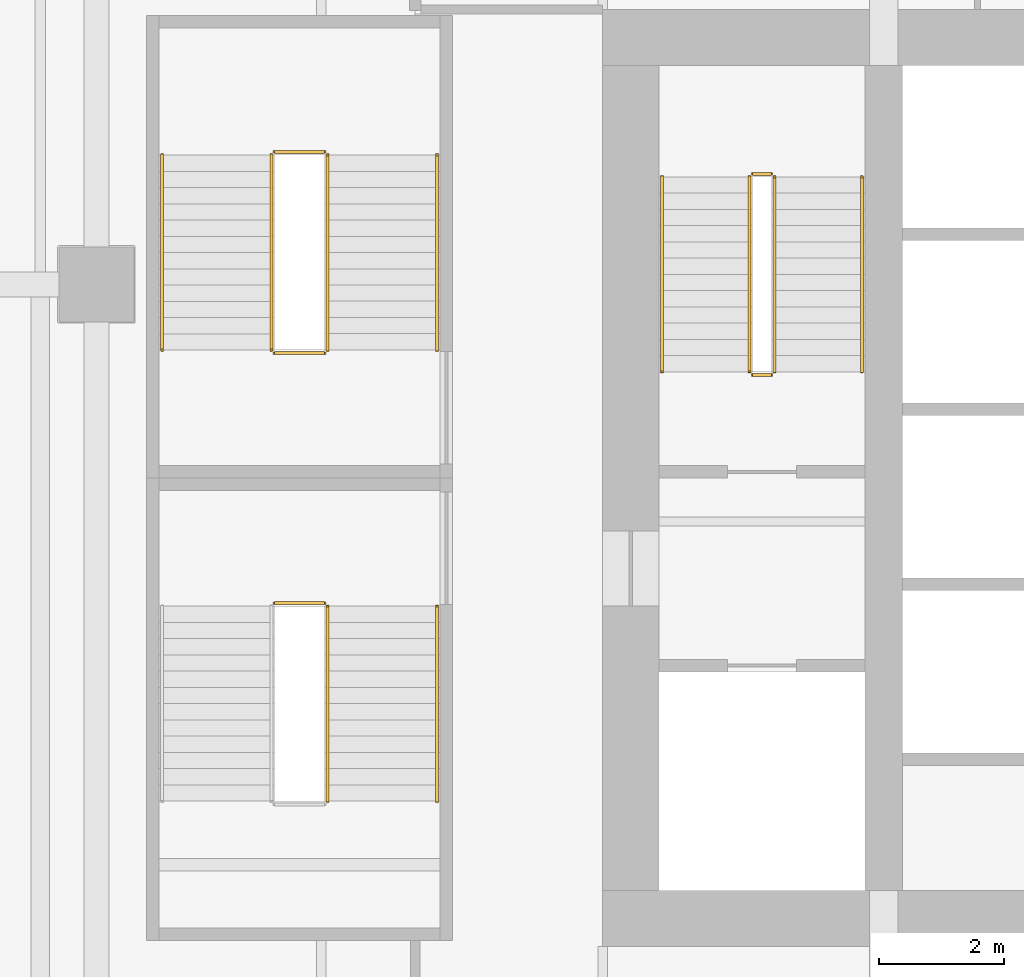
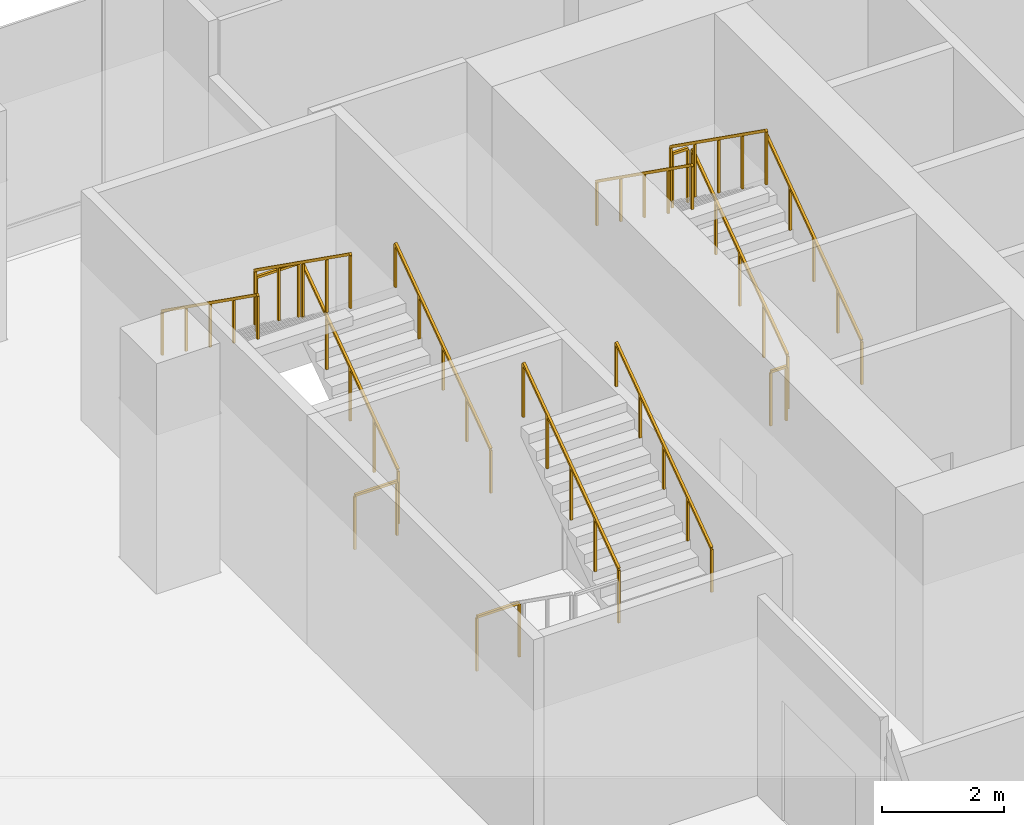
# One storey, part 24 of 28: 15 railings.
"""IFC4 building model written with IfcOpenShell, lengths in metres."""

from ifc_helpers import new_model, si_unit, direction, frame, origin, origin_2d, place, context, subcontext, project, spatial, rectangle, extrude, material, type_object, element, save


model = new_model("IFC4")

# Units and contexts
model_context = context("Model", 3, precision=1e-05, world=origin(), true_north=direction((0.0, 1.0)))
body_context = subcontext(model_context, "Body", "Model", "MODEL_VIEW")
ifc_project = project(units=[si_unit("LENGTHUNIT", "METRE"), si_unit("AREAUNIT", "SQUARE_METRE"), si_unit("VOLUMEUNIT", "CUBIC_METRE"), si_unit("PLANEANGLEUNIT", "RADIAN"), si_unit("MASSUNIT", "GRAM", prefix="KILO")], contexts=[model_context])

# Site, building, storey
site_placement = place(None, origin())
site = spatial("IfcSite", under=ifc_project, at=site_placement, CompositionType="ELEMENT")
building_placement = place(site_placement, origin())
building = spatial("IfcBuilding", under=site, at=building_placement, Name="Rattan Terrace Tower", CompositionType="ELEMENT")
storey_placement = place(building_placement, frame((0.0, 0.0, 22.199951171875)))
storey = spatial("IfcBuildingStorey", under=building, at=storey_placement, Name="L04", CompositionType="ELEMENT", Elevation=22.199951171875)

# Railings
ifc_material_1 = material(Name="Powder-coated steel guard", Category="steel")
railing_type_1 = type_object("IfcRailingType", Name="Core stair guard", PredefinedType="GUARDRAIL", material=ifc_material_1)
railing_1_placement = place(storey_placement, frame((-15.25, 1.699951171875, 0.1845703125)))
element("IfcRailing", 1, at=railing_1_placement, inside=storey, type_object=railing_type_1, Name="L04 S1 stair guard 1", PredefinedType="GUARDRAIL", context=body_context, shape_type="SweptSolid", body=[
    extrude(rectangle(XDim=0.048095703125, YDim=0.048095703125, at=origin_2d()), frame((0.0, 0.0, 1.076171875), z_axis=(0.0, 0.815346844174, 0.578972817752), x_axis=(-1.0, 0.0, 0.0)), (0.0, 0.0, 1.0), 3.82666015625),
    extrude(rectangle(XDim=0.0419921875, YDim=0.0419921875, at=origin_2d()), origin(), (0.0, 0.0, 1.0), 1.052001953125),
    extrude(rectangle(XDim=0.0419921875, YDim=0.0419921875, at=origin_2d()), frame((0.0, 0.780029296875, 0.553955078125)), (0.0, 0.0, 1.0), 1.052001953125),
    extrude(rectangle(XDim=0.0419921875, YDim=0.0419921875, at=origin_2d()), frame((0.0, 1.56005859375, 1.10791015625)), (0.0, 0.0, 1.0), 1.052001953125),
    extrude(rectangle(XDim=0.0419921875, YDim=0.0419921875, at=origin_2d()), frame((0.0, 2.340087890625, 1.66162109375)), (0.0, 0.0, 1.0), 1.052001953125),
    extrude(rectangle(XDim=0.0419921875, YDim=0.0419921875, at=origin_2d()), frame((0.0, 3.1201171875, 2.215576171875)), (0.0, 0.0, 1.0), 1.052001953125),
])
railing_2_placement = place(storey_placement, frame((-15.300048828125, 4.8701171875, 2.400146484375)))
element("IfcRailing", 2, at=railing_2_placement, inside=storey, type_object=railing_type_1, Name="L04 S1 stair guard 2", PredefinedType="GUARDRAIL", context=body_context, shape_type="SweptSolid", body=[
    extrude(rectangle(XDim=0.048095703125, YDim=0.048095703125, at=origin_2d()), frame((0.0, 0.0, 1.076171875), z_axis=(-1.0, 0.0, 0.0), x_axis=(0.0, -1.0, 0.0)), (0.0, 0.0, 1.0), 0.300048828125),
    extrude(rectangle(XDim=0.0419921875, YDim=0.0419921875, at=origin_2d()), origin(), (0.0, 0.0, 1.0), 1.052001953125),
    extrude(rectangle(XDim=0.0419921875, YDim=0.0419921875, at=origin_2d()), frame((-0.300048828125, 0.0, 0.0)), (0.0, 0.0, 1.0), 1.052001953125),
])
railing_3_placement = place(storey_placement, frame((-15.64990234375, 4.820068359375, 2.584716796875)))
element("IfcRailing", 3, at=railing_3_placement, inside=storey, type_object=railing_type_1, Name="L04 S1 stair guard 3", PredefinedType="GUARDRAIL", context=body_context, shape_type="SweptSolid", body=[
    extrude(rectangle(XDim=0.048095703125, YDim=0.048095703125, at=origin_2d()), frame((0.0, 0.0, 1.076171875), z_axis=(0.0, -0.815376961211, 0.578930402662), x_axis=(1.0, 0.0, 0.0)), (0.0, 0.0, 1.0), 3.82666015625),
    extrude(rectangle(XDim=0.0419921875, YDim=0.0419921875, at=origin_2d()), origin(), (0.0, 0.0, 1.0), 1.052001953125),
    extrude(rectangle(XDim=0.0419921875, YDim=0.0419921875, at=origin_2d()), frame((0.0, -0.780029296875, 0.5537109375)), (0.0, 0.0, 1.0), 1.052001953125),
    extrude(rectangle(XDim=0.0419921875, YDim=0.0419921875, at=origin_2d()), frame((0.0, -1.56005859375, 1.107666015625)), (0.0, 0.0, 1.0), 1.052001953125),
    extrude(rectangle(XDim=0.0419921875, YDim=0.0419921875, at=origin_2d()), frame((0.0, -2.340087890625, 1.66162109375)), (0.0, 0.0, 1.0), 1.052001953125),
    extrude(rectangle(XDim=0.0419921875, YDim=0.0419921875, at=origin_2d()), frame((0.0, -3.1201171875, 2.21533203125)), (0.0, 0.0, 1.0), 1.052001953125),
])
railing_4_placement = place(storey_placement, frame((-15.300048828125, 1.64990234375, 0.0)))
element("IfcRailing", 4, at=railing_4_placement, inside=storey, type_object=railing_type_1, Name="L04 S1 stair guard 4", PredefinedType="GUARDRAIL", context=body_context, shape_type="SweptSolid", body=[
    extrude(rectangle(XDim=0.048095703125, YDim=0.048095703125, at=origin_2d()), frame((0.0, 0.0, 1.076171875), z_axis=(-1.0, 0.0, 0.0), x_axis=(0.0, -1.0, 0.0)), (0.0, 0.0, 1.0), 0.300048828125),
    extrude(rectangle(XDim=0.0419921875, YDim=0.0419921875, at=origin_2d()), origin(), (0.0, 0.0, 1.0), 1.052001953125),
    extrude(rectangle(XDim=0.0419921875, YDim=0.0419921875, at=origin_2d()), frame((-0.300048828125, 0.0, 0.0)), (0.0, 0.0, 1.0), 1.052001953125),
])
railing_5_placement = place(storey_placement, frame((-22.39990234375, -5.169921875, 2.584716796875)))
element("IfcRailing", 5, at=railing_5_placement, inside=storey, type_object=railing_type_1, Name="L04 S4 stair guard 3", PredefinedType="GUARDRAIL", context=body_context, shape_type="SweptSolid", body=[
    extrude(rectangle(XDim=0.048095703125, YDim=0.048095703125, at=origin_2d()), frame((0.0, 0.0, 1.076171875), z_axis=(0.0, 0.815355575968, 0.57896052088), x_axis=(-1.0, 0.0, 0.0)), (0.0, 0.0, 1.0), 3.826416015625),
    extrude(rectangle(XDim=0.0419921875, YDim=0.0419921875, at=origin_2d()), origin(), (0.0, 0.0, 1.0), 1.052001953125),
    extrude(rectangle(XDim=0.0419921875, YDim=0.0419921875, at=origin_2d()), frame((0.0, 0.780029296875, 0.5537109375)), (0.0, 0.0, 1.0), 1.052001953125),
    extrude(rectangle(XDim=0.0419921875, YDim=0.0419921875, at=origin_2d()), frame((0.0, 1.56005859375, 1.107666015625)), (0.0, 0.0, 1.0), 1.052001953125),
    extrude(rectangle(XDim=0.0419921875, YDim=0.0419921875, at=origin_2d()), frame((0.0, 2.33984375, 1.66162109375)), (0.0, 0.0, 1.0), 1.052001953125),
    extrude(rectangle(XDim=0.0419921875, YDim=0.0419921875, at=origin_2d()), frame((0.0, 3.119873046875, 2.21533203125)), (0.0, 0.0, 1.0), 1.052001953125),
])
railing_6_placement = place(storey_placement, frame((-23.25, -2.0, 0.0)))
element("IfcRailing", 6, at=railing_6_placement, inside=storey, type_object=railing_type_1, Name="L04 S4 stair guard 4", PredefinedType="GUARDRAIL", context=body_context, shape_type="SweptSolid", body=[
    extrude(rectangle(XDim=0.048095703125, YDim=0.048095703125, at=origin_2d()), frame((0.0, 0.0, 1.076171875), z_axis=(1.0, 0.0, 0.0), x_axis=(0.0, 1.0, 0.0)), (0.0, 0.0, 1.0), 0.800048828125),
    extrude(rectangle(XDim=0.0419921875, YDim=0.0419921875, at=origin_2d()), origin(), (0.0, 0.0, 1.0), 1.052001953125),
    extrude(rectangle(XDim=0.0419921875, YDim=0.0419921875, at=origin_2d()), frame((0.800048828125, 0.0, 0.0)), (0.0, 0.0, 1.0), 1.052001953125),
])
railing_7_placement = place(storey_placement, frame((-22.39990234375, 2.050048828125, 0.1845703125)))
element("IfcRailing", 7, at=railing_7_placement, inside=storey, type_object=railing_type_1, Name="L04 S5 stair guard 1", PredefinedType="GUARDRAIL", context=body_context, shape_type="SweptSolid", body=[
    extrude(rectangle(XDim=0.048095703125, YDim=0.048095703125, at=origin_2d()), frame((0.0, 0.0, 1.076171875), z_axis=(0.0, 0.815325456587, 0.579002935952), x_axis=(-1.0, 0.0, 0.0)), (0.0, 0.0, 1.0), 3.826416015625),
    extrude(rectangle(XDim=0.0419921875, YDim=0.0419921875, at=origin_2d()), origin(), (0.0, 0.0, 1.0), 1.052001953125),
    extrude(rectangle(XDim=0.0419921875, YDim=0.0419921875, at=origin_2d()), frame((0.0, 0.780029296875, 0.553955078125)), (0.0, 0.0, 1.0), 1.052001953125),
    extrude(rectangle(XDim=0.0419921875, YDim=0.0419921875, at=origin_2d()), frame((0.0, 1.56005859375, 1.10791015625)), (0.0, 0.0, 1.0), 1.052001953125),
    extrude(rectangle(XDim=0.0419921875, YDim=0.0419921875, at=origin_2d()), frame((0.0, 2.33984375, 1.66162109375)), (0.0, 0.0, 1.0), 1.052001953125),
    extrude(rectangle(XDim=0.0419921875, YDim=0.0419921875, at=origin_2d()), frame((0.0, 3.119873046875, 2.215576171875)), (0.0, 0.0, 1.0), 1.052001953125),
])
railing_8_placement = place(storey_placement, frame((-22.449951171875, 5.219970703125, 2.400146484375)))
element("IfcRailing", 8, at=railing_8_placement, inside=storey, type_object=railing_type_1, Name="L04 S5 stair guard 2", PredefinedType="GUARDRAIL", context=body_context, shape_type="SweptSolid", body=[
    extrude(rectangle(XDim=0.048095703125, YDim=0.048095703125, at=origin_2d()), frame((0.0, 0.0, 1.076171875), z_axis=(-1.0, 0.0, 0.0), x_axis=(0.0, -1.0, 0.0)), (0.0, 0.0, 1.0), 0.800048828125),
    extrude(rectangle(XDim=0.0419921875, YDim=0.0419921875, at=origin_2d()), origin(), (0.0, 0.0, 1.0), 1.052001953125),
    extrude(rectangle(XDim=0.0419921875, YDim=0.0419921875, at=origin_2d()), frame((-0.800048828125, 0.0, 0.0)), (0.0, 0.0, 1.0), 1.052001953125),
])
railing_9_placement = place(storey_placement, frame((-23.300048828125, 5.169921875, 2.584716796875)))
element("IfcRailing", 9, at=railing_9_placement, inside=storey, type_object=railing_type_1, Name="L04 S5 stair guard 3", PredefinedType="GUARDRAIL", context=body_context, shape_type="SweptSolid", body=[
    extrude(rectangle(XDim=0.048095703125, YDim=0.048095703125, at=origin_2d()), frame((0.0, 0.0, 1.076171875), z_axis=(0.0, -0.815355575968, 0.57896052088), x_axis=(1.0, 0.0, 0.0)), (0.0, 0.0, 1.0), 3.826416015625),
    extrude(rectangle(XDim=0.0419921875, YDim=0.0419921875, at=origin_2d()), origin(), (0.0, 0.0, 1.0), 1.052001953125),
    extrude(rectangle(XDim=0.0419921875, YDim=0.0419921875, at=origin_2d()), frame((0.0, -0.780029296875, 0.5537109375)), (0.0, 0.0, 1.0), 1.052001953125),
    extrude(rectangle(XDim=0.0419921875, YDim=0.0419921875, at=origin_2d()), frame((0.0, -1.56005859375, 1.107666015625)), (0.0, 0.0, 1.0), 1.052001953125),
    extrude(rectangle(XDim=0.0419921875, YDim=0.0419921875, at=origin_2d()), frame((0.0, -2.33984375, 1.66162109375)), (0.0, 0.0, 1.0), 1.052001953125),
    extrude(rectangle(XDim=0.0419921875, YDim=0.0419921875, at=origin_2d()), frame((0.0, -3.119873046875, 2.21533203125)), (0.0, 0.0, 1.0), 1.052001953125),
])
railing_10_placement = place(storey_placement, frame((-22.449951171875, 2.0, 0.0)))
element("IfcRailing", 10, at=railing_10_placement, inside=storey, type_object=railing_type_1, Name="L04 S5 stair guard 4", PredefinedType="GUARDRAIL", context=body_context, shape_type="SweptSolid", body=[
    extrude(rectangle(XDim=0.048095703125, YDim=0.048095703125, at=origin_2d()), frame((0.0, 0.0, 1.076171875), z_axis=(-1.0, 0.0, 0.0), x_axis=(0.0, -1.0, 0.0)), (0.0, 0.0, 1.0), 0.800048828125),
    extrude(rectangle(XDim=0.0419921875, YDim=0.0419921875, at=origin_2d()), origin(), (0.0, 0.0, 1.0), 1.052001953125),
    extrude(rectangle(XDim=0.0419921875, YDim=0.0419921875, at=origin_2d()), frame((-0.800048828125, 0.0, 0.0)), (0.0, 0.0, 1.0), 1.052001953125),
])
ifc_material_2 = material(Name="Powder-coated steel handrail", Category="steel")
railing_type_2 = type_object("IfcRailingType", Name="Core stair handrail", PredefinedType="HANDRAIL", material=ifc_material_2)
railing_11_placement = place(storey_placement, frame((-13.85009765625, 1.699951171875, 0.1845703125)))
element("IfcRailing", 11, at=railing_11_placement, inside=storey, type_object=railing_type_2, Name="L04 S1 stair handrail 1", PredefinedType="HANDRAIL", context=body_context, shape_type="SweptSolid", body=[
    extrude(rectangle(XDim=0.048095703125, YDim=0.048095703125, at=origin_2d()), frame((0.0, 0.0, 0.8759765625), z_axis=(0.0, 0.815346844174, 0.578972817752), x_axis=(-1.0, 0.0, 0.0)), (0.0, 0.0, 1.0), 3.82666015625),
    extrude(rectangle(XDim=0.0419921875, YDim=0.0419921875, at=origin_2d()), origin(), (0.0, 0.0, 1.0), 0.851806640625),
    extrude(rectangle(XDim=0.0419921875, YDim=0.0419921875, at=origin_2d()), frame((0.0, 0.780029296875, 0.553955078125)), (0.0, 0.0, 1.0), 0.851806640625),
    extrude(rectangle(XDim=0.0419921875, YDim=0.0419921875, at=origin_2d()), frame((0.0, 1.56005859375, 1.10791015625)), (0.0, 0.0, 1.0), 0.851806640625),
    extrude(rectangle(XDim=0.0419921875, YDim=0.0419921875, at=origin_2d()), frame((0.0, 2.340087890625, 1.66162109375)), (0.0, 0.0, 1.0), 0.851806640625),
    extrude(rectangle(XDim=0.0419921875, YDim=0.0419921875, at=origin_2d()), frame((0.0, 3.1201171875, 2.215576171875)), (0.0, 0.0, 1.0), 0.851806640625),
])
railing_12_placement = place(storey_placement, frame((-17.050048828125, 4.820068359375, 2.584716796875)))
element("IfcRailing", 12, at=railing_12_placement, inside=storey, type_object=railing_type_2, Name="L04 S1 stair handrail 2", PredefinedType="HANDRAIL", context=body_context, shape_type="SweptSolid", body=[
    extrude(rectangle(XDim=0.048095703125, YDim=0.048095703125, at=origin_2d()), frame((0.0, 0.0, 0.8759765625), z_axis=(0.0, -0.815376961211, 0.578930402662), x_axis=(1.0, 0.0, 0.0)), (0.0, 0.0, 1.0), 3.82666015625),
    extrude(rectangle(XDim=0.0419921875, YDim=0.0419921875, at=origin_2d()), origin(), (0.0, 0.0, 1.0), 0.851806640625),
    extrude(rectangle(XDim=0.0419921875, YDim=0.0419921875, at=origin_2d()), frame((0.0, -0.780029296875, 0.5537109375)), (0.0, 0.0, 1.0), 0.851806640625),
    extrude(rectangle(XDim=0.0419921875, YDim=0.0419921875, at=origin_2d()), frame((0.0, -1.56005859375, 1.107666015625)), (0.0, 0.0, 1.0), 0.851806640625),
    extrude(rectangle(XDim=0.0419921875, YDim=0.0419921875, at=origin_2d()), frame((0.0, -2.340087890625, 1.66162109375)), (0.0, 0.0, 1.0), 0.851806640625),
    extrude(rectangle(XDim=0.0419921875, YDim=0.0419921875, at=origin_2d()), frame((0.0, -3.1201171875, 2.21533203125)), (0.0, 0.0, 1.0), 0.851806640625),
])
railing_13_placement = place(storey_placement, frame((-20.64990234375, -5.169921875, 2.584716796875)))
element("IfcRailing", 13, at=railing_13_placement, inside=storey, type_object=railing_type_2, Name="L04 S4 stair handrail 2", PredefinedType="HANDRAIL", context=body_context, shape_type="SweptSolid", body=[
    extrude(rectangle(XDim=0.048095703125, YDim=0.048095703125, at=origin_2d()), frame((0.0, 0.0, 0.8759765625), z_axis=(0.0, 0.815355575968, 0.57896052088), x_axis=(-1.0, 0.0, 0.0)), (0.0, 0.0, 1.0), 3.826416015625),
    extrude(rectangle(XDim=0.0419921875, YDim=0.0419921875, at=origin_2d()), origin(), (0.0, 0.0, 1.0), 0.851806640625),
    extrude(rectangle(XDim=0.0419921875, YDim=0.0419921875, at=origin_2d()), frame((0.0, 0.780029296875, 0.5537109375)), (0.0, 0.0, 1.0), 0.851806640625),
    extrude(rectangle(XDim=0.0419921875, YDim=0.0419921875, at=origin_2d()), frame((0.0, 1.56005859375, 1.107666015625)), (0.0, 0.0, 1.0), 0.851806640625),
    extrude(rectangle(XDim=0.0419921875, YDim=0.0419921875, at=origin_2d()), frame((0.0, 2.33984375, 1.66162109375)), (0.0, 0.0, 1.0), 0.851806640625),
    extrude(rectangle(XDim=0.0419921875, YDim=0.0419921875, at=origin_2d()), frame((0.0, 3.119873046875, 2.21533203125)), (0.0, 0.0, 1.0), 0.851806640625),
])
railing_14_placement = place(storey_placement, frame((-20.64990234375, 2.050048828125, 0.1845703125)))
element("IfcRailing", 14, at=railing_14_placement, inside=storey, type_object=railing_type_2, Name="L04 S5 stair handrail 1", PredefinedType="HANDRAIL", context=body_context, shape_type="SweptSolid", body=[
    extrude(rectangle(XDim=0.048095703125, YDim=0.048095703125, at=origin_2d()), frame((0.0, 0.0, 0.8759765625), z_axis=(0.0, 0.815325456587, 0.579002935952), x_axis=(-1.0, 0.0, 0.0)), (0.0, 0.0, 1.0), 3.826416015625),
    extrude(rectangle(XDim=0.0419921875, YDim=0.0419921875, at=origin_2d()), origin(), (0.0, 0.0, 1.0), 0.851806640625),
    extrude(rectangle(XDim=0.0419921875, YDim=0.0419921875, at=origin_2d()), frame((0.0, 0.780029296875, 0.553955078125)), (0.0, 0.0, 1.0), 0.851806640625),
    extrude(rectangle(XDim=0.0419921875, YDim=0.0419921875, at=origin_2d()), frame((0.0, 1.56005859375, 1.10791015625)), (0.0, 0.0, 1.0), 0.851806640625),
    extrude(rectangle(XDim=0.0419921875, YDim=0.0419921875, at=origin_2d()), frame((0.0, 2.33984375, 1.66162109375)), (0.0, 0.0, 1.0), 0.851806640625),
    extrude(rectangle(XDim=0.0419921875, YDim=0.0419921875, at=origin_2d()), frame((0.0, 3.119873046875, 2.215576171875)), (0.0, 0.0, 1.0), 0.851806640625),
])
railing_15_placement = place(storey_placement, frame((-25.050048828125, 5.169921875, 2.584716796875)))
element("IfcRailing", 15, at=railing_15_placement, inside=storey, type_object=railing_type_2, Name="L04 S5 stair handrail 2", PredefinedType="HANDRAIL", context=body_context, shape_type="SweptSolid", body=[
    extrude(rectangle(XDim=0.048095703125, YDim=0.048095703125, at=origin_2d()), frame((0.0, 0.0, 0.8759765625), z_axis=(0.0, -0.815355575968, 0.57896052088), x_axis=(1.0, 0.0, 0.0)), (0.0, 0.0, 1.0), 3.826416015625),
    extrude(rectangle(XDim=0.0419921875, YDim=0.0419921875, at=origin_2d()), origin(), (0.0, 0.0, 1.0), 0.851806640625),
    extrude(rectangle(XDim=0.0419921875, YDim=0.0419921875, at=origin_2d()), frame((0.0, -0.780029296875, 0.5537109375)), (0.0, 0.0, 1.0), 0.851806640625),
    extrude(rectangle(XDim=0.0419921875, YDim=0.0419921875, at=origin_2d()), frame((0.0, -1.56005859375, 1.107666015625)), (0.0, 0.0, 1.0), 0.851806640625),
    extrude(rectangle(XDim=0.0419921875, YDim=0.0419921875, at=origin_2d()), frame((0.0, -2.33984375, 1.66162109375)), (0.0, 0.0, 1.0), 0.851806640625),
    extrude(rectangle(XDim=0.0419921875, YDim=0.0419921875, at=origin_2d()), frame((0.0, -3.119873046875, 2.21533203125)), (0.0, 0.0, 1.0), 0.851806640625),
])

save(model, "model.ifc")
